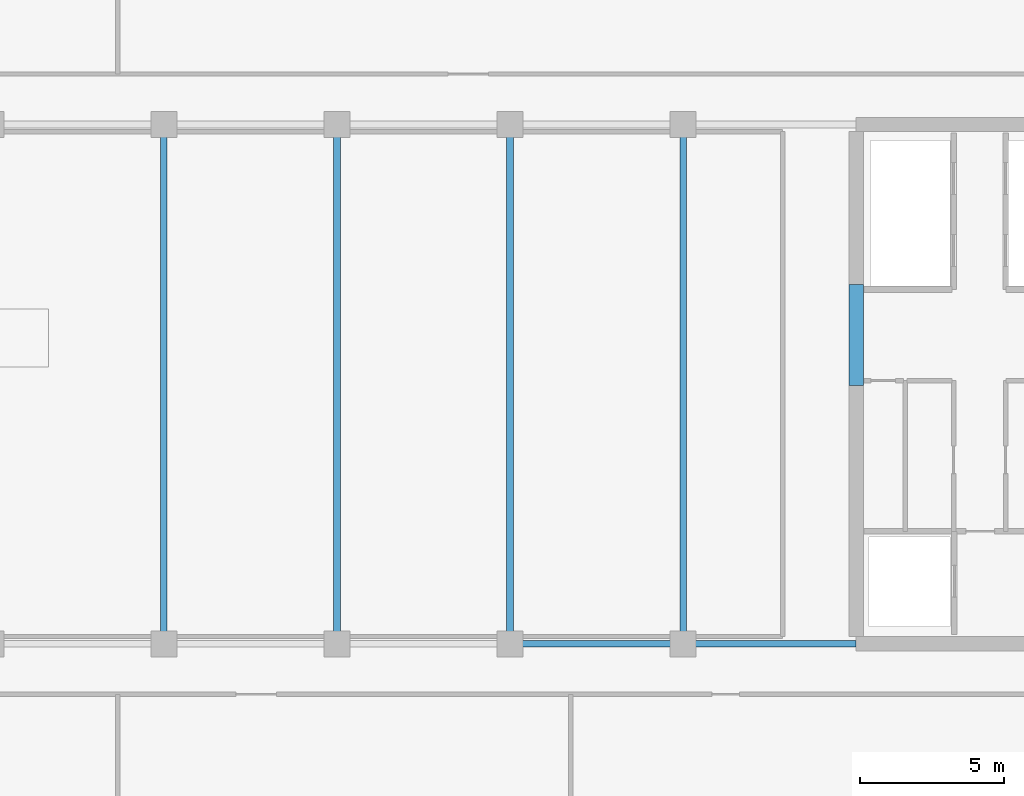
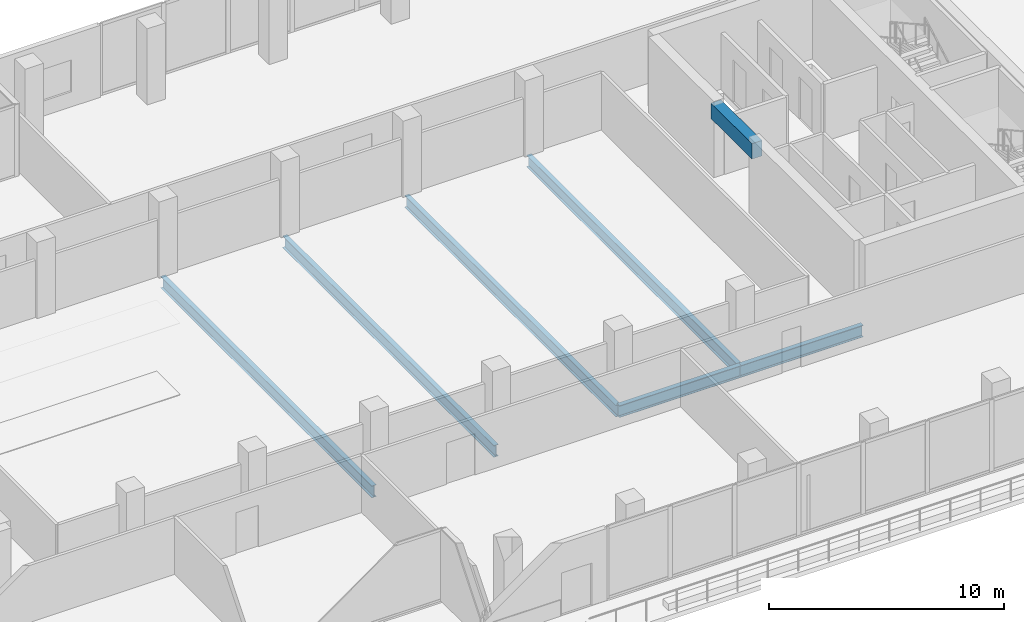
# One storey, part 8 of 30: 7 beams.
"""IFC4 building model written with IfcOpenShell, lengths in metres."""

from ifc_helpers import new_model, si_unit, direction, frame, origin, origin_2d, place, context, subcontext, project, spatial, rectangle, i_section, extrude, material, material_profile, profile_set, type_object, element, save


model = new_model("IFC4")

# Units and contexts
model_context = context("Model", 3, precision=1e-05, world=origin(), true_north=direction((0.0, 1.0)))
body_context = subcontext(model_context, "Body", "Model", "MODEL_VIEW")
ifc_project = project(units=[si_unit("LENGTHUNIT", "METRE"), si_unit("AREAUNIT", "SQUARE_METRE"), si_unit("VOLUMEUNIT", "CUBIC_METRE"), si_unit("PLANEANGLEUNIT", "RADIAN"), si_unit("MASSUNIT", "GRAM", prefix="KILO")], contexts=[model_context])

# Site, building, storey
site_placement = place(None, origin())
site = spatial("IfcSite", under=ifc_project, at=site_placement, CompositionType="ELEMENT")
building_placement = place(site_placement, origin())
building = spatial("IfcBuilding", under=site, at=building_placement, Name="Tanjung Sevakor Pilgrim Tower", CompositionType="ELEMENT")
storey_placement = place(building_placement, frame((0.0, 0.0, 128.0400390625)))
storey = spatial("IfcBuildingStorey", under=building, at=storey_placement, Name="L35", CompositionType="ELEMENT", Elevation=128.0400390625)

# Beams
ifc_material_1 = material(Name="Steel S355J2", Category="steel")
ifc_material_profile_1 = material_profile(ifc_material_1, i_section(OverallWidth=0.230224609375, OverallDepth=0.6171875, WebThickness=0.01318359375, FlangeThickness=0.022216796875, FilletRadius=0.0126953125, at=origin_2d()))
ifc_profile_set_1 = profile_set([ifc_material_profile_1], Name="Steel S355J2")
beam_type_1 = type_object("IfcBeamType", Name="BM-B-G3-UB_610x229x140", PredefinedType="BEAM", material=ifc_profile_set_1)
for number, where, z_axis, x_axis, name in (
    (1, (66.0, 24.60009765625, -0.588623046875), (1.0, 0.0, 0.0), (0.0, 1.0, 0.0), "L35 Primary Floor Girder MAIN Y246-06"),
    (2, (72.0, 24.60009765625, -0.588623046875), (1.0, 0.0, 0.0), (0.0, 1.0, 0.0), "L35 Primary Floor Girder MAIN Y246-07"),
):
    element("IfcBeam", number, at=place(storey_placement, frame(where, z_axis=z_axis, x_axis=x_axis)), inside=storey, type_object=beam_type_1, Name=name, PredefinedType="BEAM", context=body_context, shape_type="SweptSolid", body=[
        extrude(i_section(OverallWidth=0.230224609375, OverallDepth=0.6171875, WebThickness=0.01318359375, FlangeThickness=0.022216796875, FilletRadius=0.0126953125, at=origin_2d()), origin(), (0.0, 0.0, 1.0), 6.0),
    ])
ifc_material_2 = material(Name="Steel S355J2", Category="steel")
ifc_material_profile_2 = material_profile(ifc_material_2, i_section(OverallWidth=0.22900390625, OverallDepth=0.6123046875, WebThickness=0.011962890625, FlangeThickness=0.01953125, FilletRadius=0.0126953125, at=origin_2d()))
ifc_profile_set_2 = profile_set([ifc_material_profile_2], Name="Steel S355J2")
beam_type_2 = type_object("IfcBeamType", Name="BM-B-G4-UB_610x229x125", PredefinedType="BEAM", material=ifc_profile_set_2)
for number, where, z_axis, x_axis, name in (
    (3, (54.0, 24.60009765625, -0.586181640625), (0.0, 1.0, 0.0), (-1.0, 0.0, 0.0), "L35 MAIN Girder 003"),
    (4, (60.0, 24.60009765625, -0.586181640625), (0.0, 1.0, 0.0), (-1.0, 0.0, 0.0), "L35 MAIN Girder 004"),
    (5, (66.0, 24.60009765625, -0.586181640625), (0.0, 1.0, 0.0), (-1.0, 0.0, 0.0), "L35 MAIN Girder 005"),
    (6, (72.0, 24.60009765625, -0.586181640625), (0.0, 1.0, 0.0), (-1.0, 0.0, 0.0), "L35 MAIN Girder 006"),
):
    element("IfcBeam", number, at=place(storey_placement, frame(where, z_axis=z_axis, x_axis=x_axis)), inside=storey, type_object=beam_type_2, Name=name, PredefinedType="BEAM", context=body_context, shape_type="SweptSolid", body=[
        extrude(i_section(OverallWidth=0.22900390625, OverallDepth=0.6123046875, WebThickness=0.011962890625, FlangeThickness=0.01953125, FilletRadius=0.0126953125, at=origin_2d()), origin(), (0.0, 0.0, 1.0), 18.0),
    ])
ifc_material_3 = material(Name="Concrete C60/75", Category="concrete")
ifc_material_profile_3 = material_profile(ifc_material_3, rectangle(XDim=0.5, YDim=0.800048828125, at=origin_2d()))
ifc_profile_set_3 = profile_set([ifc_material_profile_3], Name="Concrete C60/75")
beam_type_3 = type_object("IfcBeamType", Name="BM-B-LN2-RC-BM_500x800", PredefinedType="LINTEL", material=ifc_profile_set_3)
beam_placement = place(storey_placement, frame((78.0, 33.550048828125, 3.33984375), z_axis=(0.0, 1.0, 0.0), x_axis=(-1.0, 0.0, 0.0)))
element("IfcBeam", 7, at=beam_placement, inside=storey, type_object=beam_type_3, Name="L35 E Core Coupling Lintel", PredefinedType="LINTEL", context=body_context, shape_type="SweptSolid", body=[
    extrude(rectangle(XDim=0.5, YDim=0.800048828125, at=origin_2d()), origin(), (0.0, 0.0, 1.0), 3.5),
])

save(model, "model.ifc")
